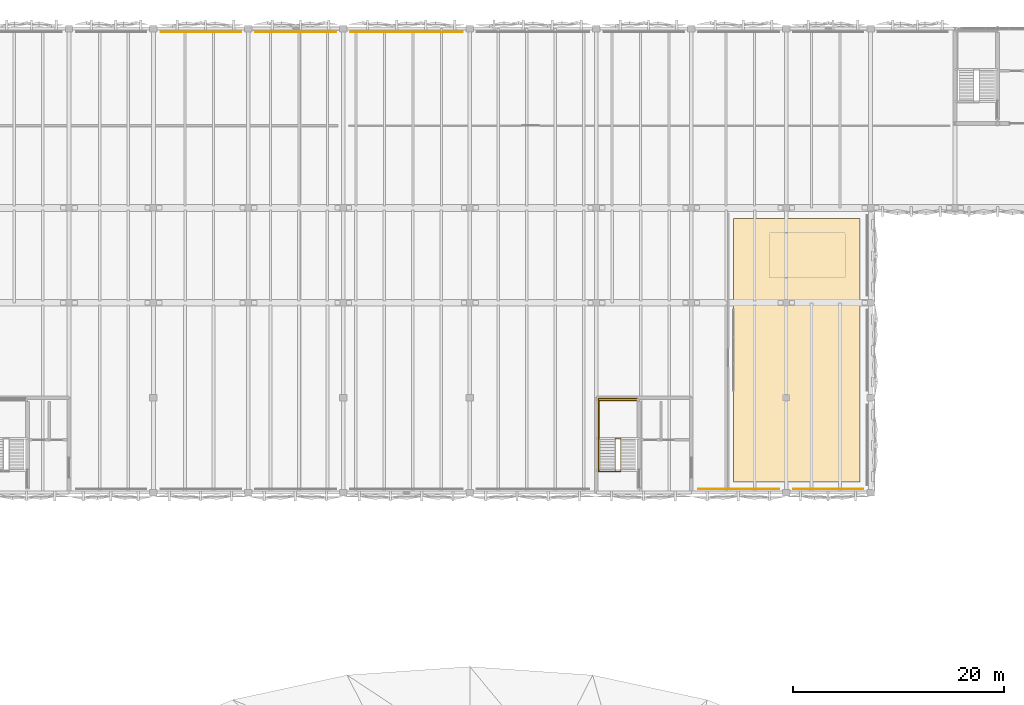
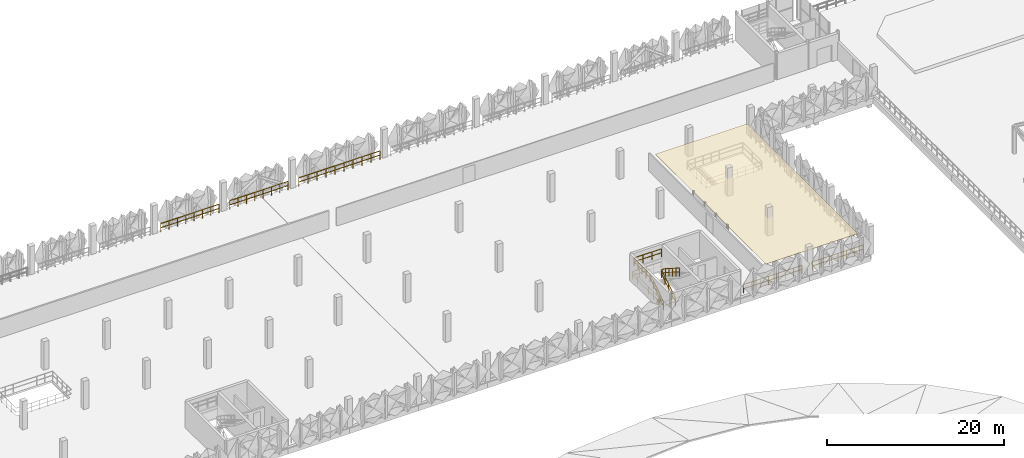
# One storey, part 48 of 52: 8 railings, 1 covering.
"""IFC4 building model written with IfcOpenShell, lengths in metres."""

from ifc_helpers import new_model, si_unit, derived_unit, direction, frame, origin, origin_2d, place, context, subcontext, project, spatial, polyline, circle, outline, extrude, material, layer, layer_set, type_object, element, save


model = new_model("IFC4")

# Units and contexts
model_context = context("Model", 3, precision=1e-05, world=origin(), true_north=direction((0.0, 1.0)))
body_context = subcontext(model_context, "Body", "Model", "MODEL_VIEW")
ifc_project = project(units=[si_unit("LENGTHUNIT", "METRE"), si_unit("AREAUNIT", "SQUARE_METRE"), si_unit("VOLUMEUNIT", "CUBIC_METRE"), si_unit("PLANEANGLEUNIT", "RADIAN"), si_unit("MASSUNIT", "GRAM", prefix="KILO"), si_unit("THERMODYNAMICTEMPERATUREUNIT", "KELVIN"), derived_unit("THERMALTRANSMITTANCEUNIT", [(si_unit("POWERUNIT", "WATT"), 1), (si_unit("AREAUNIT", "SQUARE_METRE"), -1), (si_unit("THERMODYNAMICTEMPERATUREUNIT", "KELVIN"), -1)])], contexts=[model_context])

# Site, building, storey
site_placement = place(None, origin())
site = spatial("IfcSite", under=ifc_project, at=site_placement, CompositionType="ELEMENT")
building_placement = place(site_placement, origin())
building = spatial("IfcBuilding", under=site, at=building_placement, Name="Haiyu Intermodal Mobility Hub", CompositionType="ELEMENT")
storey_placement = place(building_placement, frame((0.0, 0.0, 21.199951171875)))
storey = spatial("IfcBuildingStorey", under=building, at=storey_placement, Name="L05", CompositionType="ELEMENT", Elevation=21.199951171875)

# Covering
ifc_material_1 = material(Name="Champagne perforated aluminium 6063-T6", Category="aluminium")
ifc_layer = layer(ifc_material_1, 0.139892578125)
ifc_layer_set = layer_set([ifc_layer], Name="Champagne perforated aluminium 6063-T6")
covering_type = type_object("IfcCoveringType", Name="COV-CV01", PredefinedType="CLADDING", material=ifc_layer_set)
covering_placement = place(storey_placement, frame((0.0, 0.0, 2.400146484375)))
element("IfcCovering", 1, at=covering_placement, inside=storey, type_object=covering_type, Name="COV-CEIL-007", PredefinedType="CLADDING", context=body_context, shape_type="SweptSolid", body=[
    extrude(outline(polyline([(133.0, 105.0), (145.0, 105.0), (145.0, 130.0), (133.0, 130.0), (133.0, 105.0)])), origin(), (0.0, 0.0, 1.0), 0.044921875),
])

# Railings
ifc_material_2 = material(Name="Steel Q355C", Category="steel")
railing_type_1 = type_object("IfcRailingType", Name="RAL-GR01", PredefinedType="GUARDRAIL", material=ifc_material_2)
railing_1_placement = place(storey_placement, frame((86.300048828125, 147.659912109375, 0.0)))
element("IfcRailing", 2, at=railing_1_placement, inside=storey, type_object=railing_type_1, Name="RAL-CAR-N-0045", PredefinedType="GUARDRAIL", context=body_context, shape_type="SweptSolid", body=[
    extrude(circle(Radius=0.02392578125, at=origin_2d()), frame((-0.030029296875, 0.0, 1.17578125), z_axis=(-1.0, 0.0, 0.0), x_axis=(0.0, -1.0, 0.0)), (0.0, 0.0, 1.0), 7.5400390625),
    extrude(circle(Radius=0.02392578125, at=origin_2d()), frame((-0.037353515625, 0.0, 0.60009765625), z_axis=(-1.0, 0.0, 0.0), x_axis=(0.0, -1.0, 0.0)), (0.0, 0.0, 1.0), 1.01123046875),
    extrude(circle(Radius=0.02392578125, at=origin_2d()), frame((-1.123046875, 0.0, 0.60009765625), z_axis=(-1.0, 0.0, 0.0), x_axis=(0.0, -1.0, 0.0)), (0.0, 0.0, 1.0), 1.01123046875),
    extrude(circle(Radius=0.02392578125, at=origin_2d()), frame((-2.208740234375, 0.0, 0.60009765625), z_axis=(-1.0, 0.0, 0.0), x_axis=(0.0, -1.0, 0.0)), (0.0, 0.0, 1.0), 1.01123046875),
    extrude(circle(Radius=0.02392578125, at=origin_2d()), frame((-3.29443359375, 0.0, 0.60009765625), z_axis=(-1.0, 0.0, 0.0), x_axis=(0.0, -1.0, 0.0)), (0.0, 0.0, 1.0), 1.01123046875),
    extrude(circle(Radius=0.02392578125, at=origin_2d()), frame((-4.380126953125, 0.0, 0.60009765625), z_axis=(-1.0, 0.0, 0.0), x_axis=(0.0, -1.0, 0.0)), (0.0, 0.0, 1.0), 1.01123046875),
    extrude(circle(Radius=0.02392578125, at=origin_2d()), frame((-5.4658203125, 0.0, 0.60009765625), z_axis=(-1.0, 0.0, 0.0), x_axis=(0.0, -1.0, 0.0)), (0.0, 0.0, 1.0), 1.01123046875),
    extrude(circle(Radius=0.02392578125, at=origin_2d()), frame((-6.5517578125, 0.0, 0.60009765625), z_axis=(-1.0, 0.0, 0.0), x_axis=(0.0, -1.0, 0.0)), (0.0, 0.0, 1.0), 1.01123046875),
    extrude(circle(Radius=0.02099609375, at=origin_2d()), origin(), (0.0, 0.0, 1.0), 1.143798828125),
    extrude(circle(Radius=0.02099609375, at=origin_2d()), frame((-1.085693359375, 0.0, 0.0)), (0.0, 0.0, 1.0), 1.143798828125),
    extrude(circle(Radius=0.02099609375, at=origin_2d()), frame((-2.17138671875, 0.0, 0.0)), (0.0, 0.0, 1.0), 1.143798828125),
    extrude(circle(Radius=0.02099609375, at=origin_2d()), frame((-3.257080078125, 0.0, 0.0)), (0.0, 0.0, 1.0), 1.143798828125),
    extrude(circle(Radius=0.02099609375, at=origin_2d()), frame((-4.343017578125, 0.0, 0.0)), (0.0, 0.0, 1.0), 1.143798828125),
    extrude(circle(Radius=0.02099609375, at=origin_2d()), frame((-5.4287109375, 0.0, 0.0)), (0.0, 0.0, 1.0), 1.143798828125),
    extrude(circle(Radius=0.02099609375, at=origin_2d()), frame((-6.514404296875, 0.0, 0.0)), (0.0, 0.0, 1.0), 1.143798828125),
    extrude(circle(Radius=0.02099609375, at=origin_2d()), frame((-7.60009765625, 0.0, 0.0)), (0.0, 0.0, 1.0), 1.143798828125),
])
railing_2_placement = place(storey_placement, frame((95.300048828125, 147.659912109375, 0.0)))
element("IfcRailing", 3, at=railing_2_placement, inside=storey, type_object=railing_type_1, Name="RAL-CAR-N-0050", PredefinedType="GUARDRAIL", context=body_context, shape_type="SweptSolid", body=[
    extrude(circle(Radius=0.02392578125, at=origin_2d()), frame((-0.030029296875, 0.0, 1.17578125), z_axis=(-1.0, 0.0, 0.0), x_axis=(0.0, -1.0, 0.0)), (0.0, 0.0, 1.0), 7.5400390625),
    extrude(circle(Radius=0.02392578125, at=origin_2d()), frame((-0.037353515625, 0.0, 0.60009765625), z_axis=(-1.0, 0.0, 0.0), x_axis=(0.0, -1.0, 0.0)), (0.0, 0.0, 1.0), 1.01123046875),
    extrude(circle(Radius=0.02392578125, at=origin_2d()), frame((-1.123046875, 0.0, 0.60009765625), z_axis=(-1.0, 0.0, 0.0), x_axis=(0.0, -1.0, 0.0)), (0.0, 0.0, 1.0), 1.01123046875),
    extrude(circle(Radius=0.02392578125, at=origin_2d()), frame((-2.208740234375, 0.0, 0.60009765625), z_axis=(-1.0, 0.0, 0.0), x_axis=(0.0, -1.0, 0.0)), (0.0, 0.0, 1.0), 1.01123046875),
    extrude(circle(Radius=0.02392578125, at=origin_2d()), frame((-3.29443359375, 0.0, 0.60009765625), z_axis=(-1.0, 0.0, 0.0), x_axis=(0.0, -1.0, 0.0)), (0.0, 0.0, 1.0), 1.01123046875),
    extrude(circle(Radius=0.02392578125, at=origin_2d()), frame((-4.380126953125, 0.0, 0.60009765625), z_axis=(-1.0, 0.0, 0.0), x_axis=(0.0, -1.0, 0.0)), (0.0, 0.0, 1.0), 1.01123046875),
    extrude(circle(Radius=0.02392578125, at=origin_2d()), frame((-5.4658203125, 0.0, 0.60009765625), z_axis=(-1.0, 0.0, 0.0), x_axis=(0.0, -1.0, 0.0)), (0.0, 0.0, 1.0), 1.01123046875),
    extrude(circle(Radius=0.02392578125, at=origin_2d()), frame((-6.5517578125, 0.0, 0.60009765625), z_axis=(-1.0, 0.0, 0.0), x_axis=(0.0, -1.0, 0.0)), (0.0, 0.0, 1.0), 1.01123046875),
    extrude(circle(Radius=0.02099609375, at=origin_2d()), origin(), (0.0, 0.0, 1.0), 1.143798828125),
    extrude(circle(Radius=0.02099609375, at=origin_2d()), frame((-1.085693359375, 0.0, 0.0)), (0.0, 0.0, 1.0), 1.143798828125),
    extrude(circle(Radius=0.02099609375, at=origin_2d()), frame((-2.17138671875, 0.0, 0.0)), (0.0, 0.0, 1.0), 1.143798828125),
    extrude(circle(Radius=0.02099609375, at=origin_2d()), frame((-3.257080078125, 0.0, 0.0)), (0.0, 0.0, 1.0), 1.143798828125),
    extrude(circle(Radius=0.02099609375, at=origin_2d()), frame((-4.343017578125, 0.0, 0.0)), (0.0, 0.0, 1.0), 1.143798828125),
    extrude(circle(Radius=0.02099609375, at=origin_2d()), frame((-5.4287109375, 0.0, 0.0)), (0.0, 0.0, 1.0), 1.143798828125),
    extrude(circle(Radius=0.02099609375, at=origin_2d()), frame((-6.514404296875, 0.0, 0.0)), (0.0, 0.0, 1.0), 1.143798828125),
    extrude(circle(Radius=0.02099609375, at=origin_2d()), frame((-7.60009765625, 0.0, 0.0)), (0.0, 0.0, 1.0), 1.143798828125),
])
railing_3_placement = place(storey_placement, frame((107.300048828125, 147.659912109375, 0.0)))
element("IfcRailing", 4, at=railing_3_placement, inside=storey, type_object=railing_type_1, Name="RAL-CAR-N-0055", PredefinedType="GUARDRAIL", context=body_context, shape_type="SweptSolid", body=[
    extrude(circle(Radius=0.02392578125, at=origin_2d()), frame((-0.030029296875, 0.0, 1.17578125), z_axis=(-1.0, 0.0, 0.0), x_axis=(0.0, -1.0, 0.0)), (0.0, 0.0, 1.0), 10.5400390625),
    extrude(circle(Radius=0.02392578125, at=origin_2d()), frame((-0.037353515625, 0.0, 0.60009765625), z_axis=(-1.0, 0.0, 0.0), x_axis=(0.0, -1.0, 0.0)), (0.0, 0.0, 1.0), 1.103271484375),
    extrude(circle(Radius=0.02392578125, at=origin_2d()), frame((-1.215087890625, 0.0, 0.60009765625), z_axis=(-1.0, 0.0, 0.0), x_axis=(0.0, -1.0, 0.0)), (0.0, 0.0, 1.0), 1.103271484375),
    extrude(circle(Radius=0.02392578125, at=origin_2d()), frame((-2.392822265625, 0.0, 0.60009765625), z_axis=(-1.0, 0.0, 0.0), x_axis=(0.0, -1.0, 0.0)), (0.0, 0.0, 1.0), 1.103271484375),
    extrude(circle(Radius=0.02392578125, at=origin_2d()), frame((-3.570556640625, 0.0, 0.60009765625), z_axis=(-1.0, 0.0, 0.0), x_axis=(0.0, -1.0, 0.0)), (0.0, 0.0, 1.0), 1.103271484375),
    extrude(circle(Radius=0.02392578125, at=origin_2d()), frame((-4.74853515625, 0.0, 0.60009765625), z_axis=(-1.0, 0.0, 0.0), x_axis=(0.0, -1.0, 0.0)), (0.0, 0.0, 1.0), 1.103271484375),
    extrude(circle(Radius=0.02392578125, at=origin_2d()), frame((-5.92626953125, 0.0, 0.60009765625), z_axis=(-1.0, 0.0, 0.0), x_axis=(0.0, -1.0, 0.0)), (0.0, 0.0, 1.0), 1.103271484375),
    extrude(circle(Radius=0.02392578125, at=origin_2d()), frame((-7.10400390625, 0.0, 0.60009765625), z_axis=(-1.0, 0.0, 0.0), x_axis=(0.0, -1.0, 0.0)), (0.0, 0.0, 1.0), 1.103271484375),
    extrude(circle(Radius=0.02392578125, at=origin_2d()), frame((-8.28173828125, 0.0, 0.60009765625), z_axis=(-1.0, 0.0, 0.0), x_axis=(0.0, -1.0, 0.0)), (0.0, 0.0, 1.0), 1.103271484375),
    extrude(circle(Radius=0.02392578125, at=origin_2d()), frame((-9.459716796875, 0.0, 0.60009765625), z_axis=(-1.0, 0.0, 0.0), x_axis=(0.0, -1.0, 0.0)), (0.0, 0.0, 1.0), 1.103271484375),
    extrude(circle(Radius=0.02099609375, at=origin_2d()), origin(), (0.0, 0.0, 1.0), 1.143798828125),
    extrude(circle(Radius=0.02099609375, at=origin_2d()), frame((-1.177734375, 0.0, 0.0)), (0.0, 0.0, 1.0), 1.143798828125),
    extrude(circle(Radius=0.02099609375, at=origin_2d()), frame((-2.35546875, 0.0, 0.0)), (0.0, 0.0, 1.0), 1.143798828125),
    extrude(circle(Radius=0.02099609375, at=origin_2d()), frame((-3.533447265625, 0.0, 0.0)), (0.0, 0.0, 1.0), 1.143798828125),
    extrude(circle(Radius=0.02099609375, at=origin_2d()), frame((-4.711181640625, 0.0, 0.0)), (0.0, 0.0, 1.0), 1.143798828125),
    extrude(circle(Radius=0.02099609375, at=origin_2d()), frame((-5.888916015625, 0.0, 0.0)), (0.0, 0.0, 1.0), 1.143798828125),
    extrude(circle(Radius=0.02099609375, at=origin_2d()), frame((-7.066650390625, 0.0, 0.0)), (0.0, 0.0, 1.0), 1.143798828125),
    extrude(circle(Radius=0.02099609375, at=origin_2d()), frame((-8.24462890625, 0.0, 0.0)), (0.0, 0.0, 1.0), 1.143798828125),
    extrude(circle(Radius=0.02099609375, at=origin_2d()), frame((-9.42236328125, 0.0, 0.0)), (0.0, 0.0, 1.0), 1.143798828125),
    extrude(circle(Radius=0.02099609375, at=origin_2d()), frame((-10.60009765625, 0.0, 0.0)), (0.0, 0.0, 1.0), 1.143798828125),
])
railing_4_placement = place(storey_placement, frame((129.699951171875, 104.340087890625, 0.0)))
element("IfcRailing", 5, at=railing_4_placement, inside=storey, type_object=railing_type_1, Name="RAL-CAR-S-0142", PredefinedType="GUARDRAIL", context=body_context, shape_type="SweptSolid", body=[
    extrude(circle(Radius=0.02392578125, at=origin_2d()), frame((0.030029296875, 0.0, 1.17578125), z_axis=(1.0, 0.0, 0.0), x_axis=(0.0, 1.0, 0.0)), (0.0, 0.0, 1.0), 7.5400390625),
    extrude(circle(Radius=0.02392578125, at=origin_2d()), frame((0.037353515625, 0.0, 0.60009765625), z_axis=(1.0, 0.0, 0.0), x_axis=(0.0, 1.0, 0.0)), (0.0, 0.0, 1.0), 1.01123046875),
    extrude(circle(Radius=0.02392578125, at=origin_2d()), frame((1.123046875, 0.0, 0.60009765625), z_axis=(1.0, 0.0, 0.0), x_axis=(0.0, 1.0, 0.0)), (0.0, 0.0, 1.0), 1.01123046875),
    extrude(circle(Radius=0.02392578125, at=origin_2d()), frame((2.208740234375, 0.0, 0.60009765625), z_axis=(1.0, 0.0, 0.0), x_axis=(0.0, 1.0, 0.0)), (0.0, 0.0, 1.0), 1.01123046875),
    extrude(circle(Radius=0.02392578125, at=origin_2d()), frame((3.29443359375, 0.0, 0.60009765625), z_axis=(1.0, 0.0, 0.0), x_axis=(0.0, 1.0, 0.0)), (0.0, 0.0, 1.0), 1.01123046875),
    extrude(circle(Radius=0.02392578125, at=origin_2d()), frame((4.380126953125, 0.0, 0.60009765625), z_axis=(1.0, 0.0, 0.0), x_axis=(0.0, 1.0, 0.0)), (0.0, 0.0, 1.0), 1.01123046875),
    extrude(circle(Radius=0.02392578125, at=origin_2d()), frame((5.4658203125, 0.0, 0.60009765625), z_axis=(1.0, 0.0, 0.0), x_axis=(0.0, 1.0, 0.0)), (0.0, 0.0, 1.0), 1.01123046875),
    extrude(circle(Radius=0.02392578125, at=origin_2d()), frame((6.5517578125, 0.0, 0.60009765625), z_axis=(1.0, 0.0, 0.0), x_axis=(0.0, 1.0, 0.0)), (0.0, 0.0, 1.0), 1.01123046875),
    extrude(circle(Radius=0.02099609375, at=origin_2d()), origin(), (0.0, 0.0, 1.0), 1.143798828125),
    extrude(circle(Radius=0.02099609375, at=origin_2d()), frame((1.085693359375, 0.0, 0.0)), (0.0, 0.0, 1.0), 1.143798828125),
    extrude(circle(Radius=0.02099609375, at=origin_2d()), frame((2.17138671875, 0.0, 0.0)), (0.0, 0.0, 1.0), 1.143798828125),
    extrude(circle(Radius=0.02099609375, at=origin_2d()), frame((3.257080078125, 0.0, 0.0)), (0.0, 0.0, 1.0), 1.143798828125),
    extrude(circle(Radius=0.02099609375, at=origin_2d()), frame((4.343017578125, 0.0, 0.0)), (0.0, 0.0, 1.0), 1.143798828125),
    extrude(circle(Radius=0.02099609375, at=origin_2d()), frame((5.4287109375, 0.0, 0.0)), (0.0, 0.0, 1.0), 1.143798828125),
    extrude(circle(Radius=0.02099609375, at=origin_2d()), frame((6.514404296875, 0.0, 0.0)), (0.0, 0.0, 1.0), 1.143798828125),
    extrude(circle(Radius=0.02099609375, at=origin_2d()), frame((7.60009765625, 0.0, 0.0)), (0.0, 0.0, 1.0), 1.143798828125),
])
railing_5_placement = place(storey_placement, frame((138.699951171875, 104.340087890625, 0.0)))
element("IfcRailing", 6, at=railing_5_placement, inside=storey, type_object=railing_type_1, Name="RAL-CAR-S-0148", PredefinedType="GUARDRAIL", context=body_context, shape_type="SweptSolid", body=[
    extrude(circle(Radius=0.02392578125, at=origin_2d()), frame((0.030029296875, 0.0, 1.17578125), z_axis=(1.0, 0.0, 0.0), x_axis=(0.0, 1.0, 0.0)), (0.0, 0.0, 1.0), 6.5400390625),
    extrude(circle(Radius=0.02392578125, at=origin_2d()), frame((0.037353515625, 0.0, 0.60009765625), z_axis=(1.0, 0.0, 0.0), x_axis=(0.0, 1.0, 0.0)), (0.0, 0.0, 1.0), 1.025390625),
    extrude(circle(Radius=0.02392578125, at=origin_2d()), frame((1.13720703125, 0.0, 0.60009765625), z_axis=(1.0, 0.0, 0.0), x_axis=(0.0, 1.0, 0.0)), (0.0, 0.0, 1.0), 1.025390625),
    extrude(circle(Radius=0.02392578125, at=origin_2d()), frame((2.2373046875, 0.0, 0.60009765625), z_axis=(1.0, 0.0, 0.0), x_axis=(0.0, 1.0, 0.0)), (0.0, 0.0, 1.0), 1.025390625),
    extrude(circle(Radius=0.02392578125, at=origin_2d()), frame((3.33740234375, 0.0, 0.60009765625), z_axis=(1.0, 0.0, 0.0), x_axis=(0.0, 1.0, 0.0)), (0.0, 0.0, 1.0), 1.025390625),
    extrude(circle(Radius=0.02392578125, at=origin_2d()), frame((4.437255859375, 0.0, 0.60009765625), z_axis=(1.0, 0.0, 0.0), x_axis=(0.0, 1.0, 0.0)), (0.0, 0.0, 1.0), 1.025390625),
    extrude(circle(Radius=0.02392578125, at=origin_2d()), frame((5.537353515625, 0.0, 0.60009765625), z_axis=(1.0, 0.0, 0.0), x_axis=(0.0, 1.0, 0.0)), (0.0, 0.0, 1.0), 1.025390625),
    extrude(circle(Radius=0.02099609375, at=origin_2d()), origin(), (0.0, 0.0, 1.0), 1.143798828125),
    extrude(circle(Radius=0.02099609375, at=origin_2d()), frame((1.10009765625, 0.0, 0.0)), (0.0, 0.0, 1.0), 1.143798828125),
    extrude(circle(Radius=0.02099609375, at=origin_2d()), frame((2.199951171875, 0.0, 0.0)), (0.0, 0.0, 1.0), 1.143798828125),
    extrude(circle(Radius=0.02099609375, at=origin_2d()), frame((3.300048828125, 0.0, 0.0)), (0.0, 0.0, 1.0), 1.143798828125),
    extrude(circle(Radius=0.02099609375, at=origin_2d()), frame((4.400146484375, 0.0, 0.0)), (0.0, 0.0, 1.0), 1.143798828125),
    extrude(circle(Radius=0.02099609375, at=origin_2d()), frame((5.5, 0.0, 0.0)), (0.0, 0.0, 1.0), 1.143798828125),
    extrude(circle(Radius=0.02099609375, at=origin_2d()), frame((6.60009765625, 0.0, 0.0)), (0.0, 0.0, 1.0), 1.143798828125),
])
railing_type_2 = type_object("IfcRailingType", Name="RAL-GR03", PredefinedType="GUARDRAIL", material=ifc_material_2)
railing_6_placement = place(storey_placement, frame((122.31005859375, 106.010009765625, 0.0)))
element("IfcRailing", 7, at=railing_6_placement, inside=storey, type_object=railing_type_2, Name="Stair Shaft Floor Guard STR-C6-L04", PredefinedType="GUARDRAIL", context=body_context, shape_type="SweptSolid", body=[
    extrude(circle(Radius=0.02392578125, at=origin_2d()), frame((-0.030029296875, 0.0, 1.09619140625), z_axis=(-1.0, 0.0, 0.0), x_axis=(0.0, -1.0, 0.0)), (0.0, 0.0, 1.0), 2.030029296875),
    extrude(circle(Radius=0.02392578125, at=origin_2d()), frame((-0.037353515625, 0.0, 0.56005859375), z_axis=(-1.0, 0.0, 0.0), x_axis=(0.0, -1.0, 0.0)), (0.0, 0.0, 1.0), 0.970458984375),
    extrude(circle(Radius=0.02392578125, at=origin_2d()), frame((-1.082275390625, 0.0, 0.56005859375), z_axis=(-1.0, 0.0, 0.0), x_axis=(0.0, -1.0, 0.0)), (0.0, 0.0, 1.0), 0.970458984375),
    extrude(circle(Radius=0.02392578125, at=origin_2d()), frame((-2.090087890625, 0.030029296875, 1.09619140625), z_axis=(0.0, 1.0, 0.0), x_axis=(-1.0, 0.0, 0.0)), (0.0, 0.0, 1.0), 6.8798828125),
    extrude(circle(Radius=0.02392578125, at=origin_2d()), frame((-2.090087890625, 0.037353515625, 0.56005859375), z_axis=(0.0, 1.0, 0.0), x_axis=(-1.0, 0.0, 0.0)), (0.0, 0.0, 1.0), 1.08203125),
    extrude(circle(Radius=0.02392578125, at=origin_2d()), frame((-2.090087890625, 1.19384765625, 0.56005859375), z_axis=(0.0, 1.0, 0.0), x_axis=(-1.0, 0.0, 0.0)), (0.0, 0.0, 1.0), 1.08203125),
    extrude(circle(Radius=0.02392578125, at=origin_2d()), frame((-2.090087890625, 2.3505859375, 0.56005859375), z_axis=(0.0, 1.0, 0.0), x_axis=(-1.0, 0.0, 0.0)), (0.0, 0.0, 1.0), 1.08203125),
    extrude(circle(Radius=0.02392578125, at=origin_2d()), frame((-2.090087890625, 3.50732421875, 0.56005859375), z_axis=(0.0, 1.0, 0.0), x_axis=(-1.0, 0.0, 0.0)), (0.0, 0.0, 1.0), 1.08203125),
    extrude(circle(Radius=0.02392578125, at=origin_2d()), frame((-2.090087890625, 4.663818359375, 0.56005859375), z_axis=(0.0, 1.0, 0.0), x_axis=(-1.0, 0.0, 0.0)), (0.0, 0.0, 1.0), 1.08203125),
    extrude(circle(Radius=0.02392578125, at=origin_2d()), frame((-2.090087890625, 5.820556640625, 0.56005859375), z_axis=(0.0, 1.0, 0.0), x_axis=(-1.0, 0.0, 0.0)), (0.0, 0.0, 1.0), 1.08203125),
    extrude(circle(Radius=0.02392578125, at=origin_2d()), frame((-2.06005859375, 6.93994140625, 1.09619140625), z_axis=(1.0, 0.0, 0.0), x_axis=(0.0, 1.0, 0.0)), (0.0, 0.0, 1.0), 3.590087890625),
    extrude(circle(Radius=0.02392578125, at=origin_2d()), frame((-2.052734375, 6.93994140625, 0.56005859375), z_axis=(1.0, 0.0, 0.0), x_axis=(0.0, 1.0, 0.0)), (0.0, 0.0, 1.0), 0.837890625),
    extrude(circle(Radius=0.02392578125, at=origin_2d()), frame((-1.14013671875, 6.93994140625, 0.56005859375), z_axis=(1.0, 0.0, 0.0), x_axis=(0.0, 1.0, 0.0)), (0.0, 0.0, 1.0), 0.837890625),
    extrude(circle(Radius=0.02392578125, at=origin_2d()), frame((-0.227783203125, 6.93994140625, 0.56005859375), z_axis=(1.0, 0.0, 0.0), x_axis=(0.0, 1.0, 0.0)), (0.0, 0.0, 1.0), 0.837890625),
    extrude(circle(Radius=0.02392578125, at=origin_2d()), frame((0.684814453125, 6.93994140625, 0.56005859375), z_axis=(1.0, 0.0, 0.0), x_axis=(0.0, 1.0, 0.0)), (0.0, 0.0, 1.0), 0.837890625),
    extrude(circle(Radius=0.02099609375, at=origin_2d()), origin(), (0.0, 0.0, 1.0), 1.06396484375),
    extrude(circle(Radius=0.02099609375, at=origin_2d()), frame((-1.044921875, 0.0, 0.0)), (0.0, 0.0, 1.0), 1.06396484375),
    extrude(circle(Radius=0.02099609375, at=origin_2d()), frame((-2.090087890625, 0.0, 0.0)), (0.0, 0.0, 1.0), 1.06396484375),
    extrude(circle(Radius=0.02099609375, at=origin_2d()), frame((-2.090087890625, 1.15673828125, 0.0)), (0.0, 0.0, 1.0), 1.06396484375),
    extrude(circle(Radius=0.02099609375, at=origin_2d()), frame((-2.090087890625, 2.313232421875, 0.0)), (0.0, 0.0, 1.0), 1.06396484375),
    extrude(circle(Radius=0.02099609375, at=origin_2d()), frame((-2.090087890625, 3.469970703125, 0.0)), (0.0, 0.0, 1.0), 1.06396484375),
    extrude(circle(Radius=0.02099609375, at=origin_2d()), frame((-2.090087890625, 4.626708984375, 0.0)), (0.0, 0.0, 1.0), 1.06396484375),
    extrude(circle(Radius=0.02099609375, at=origin_2d()), frame((-2.090087890625, 5.783203125, 0.0)), (0.0, 0.0, 1.0), 1.06396484375),
    extrude(circle(Radius=0.02099609375, at=origin_2d()), frame((-2.090087890625, 6.93994140625, 0.0)), (0.0, 0.0, 1.0), 1.06396484375),
    extrude(circle(Radius=0.02099609375, at=origin_2d()), frame((-1.177490234375, 6.93994140625, 0.0)), (0.0, 0.0, 1.0), 1.06396484375),
    extrude(circle(Radius=0.02099609375, at=origin_2d()), frame((-0.26513671875, 6.93994140625, 0.0)), (0.0, 0.0, 1.0), 1.06396484375),
    extrude(circle(Radius=0.02099609375, at=origin_2d()), frame((0.6474609375, 6.93994140625, 0.0)), (0.0, 0.0, 1.0), 1.06396484375),
    extrude(circle(Radius=0.02099609375, at=origin_2d()), frame((1.56005859375, 6.93994140625, 0.0)), (0.0, 0.0, 1.0), 1.06396484375),
])
railing_7_placement = place(storey_placement, frame((121.780029296875, 106.050048828125, 0.0)))
element("IfcRailing", 8, at=railing_7_placement, inside=storey, type_object=railing_type_2, Name="Stair Well Guard STR-C6-L05", PredefinedType="GUARDRAIL", context=body_context, shape_type="SweptSolid", body=[
    extrude(circle(Radius=0.02392578125, at=origin_2d()), frame((0.0, 0.025390625, 1.11181640625), z_axis=(0.0, 0.848756196164, 0.528784378999), x_axis=(-1.0, 0.0, 0.0)), (0.0, 0.0, 1.0), 3.627685546875),
    extrude(circle(Radius=0.02392578125, at=origin_2d()), frame((0.0, 0.03173828125, 0.579833984375), z_axis=(0.0, 0.848756196164, 0.528784378999), x_axis=(-1.0, 0.0, 0.0)), (0.0, 0.0, 1.0), 0.847412109375),
    extrude(circle(Radius=0.02392578125, at=origin_2d()), frame((0.0, 0.814208984375, 1.0673828125), z_axis=(0.0, 0.848756196164, 0.528784378999), x_axis=(-1.0, 0.0, 0.0)), (0.0, 0.0, 1.0), 0.847412109375),
    extrude(circle(Radius=0.02392578125, at=origin_2d()), frame((0.0, 1.5966796875, 1.5546875), z_axis=(0.0, 0.848756196164, 0.528784378999), x_axis=(-1.0, 0.0, 0.0)), (0.0, 0.0, 1.0), 0.847412109375),
    extrude(circle(Radius=0.02392578125, at=origin_2d()), frame((0.0, 2.379150390625, 2.042236328125), z_axis=(0.0, 0.848756196164, 0.528784378999), x_axis=(-1.0, 0.0, 0.0)), (0.0, 0.0, 1.0), 0.847412109375),
    extrude(circle(Radius=0.02392578125, at=origin_2d()), frame((0.030029296875, 3.1298828125, 3.0458984375), z_axis=(1.0, 0.0, 0.0), x_axis=(0.0, 1.0, 0.0)), (0.0, 0.0, 1.0), 0.469970703125),
    extrude(circle(Radius=0.02392578125, at=origin_2d()), frame((0.037353515625, 3.1298828125, 2.510009765625), z_axis=(1.0, 0.0, 0.0), x_axis=(0.0, 1.0, 0.0)), (0.0, 0.0, 1.0), 0.455322265625),
    extrude(circle(Radius=0.02392578125, at=origin_2d()), frame((0.530029296875, 3.1044921875, 3.061767578125), z_axis=(0.0, -0.84872648218, 0.528832070176), x_axis=(1.0, 0.0, 0.0)), (0.0, 0.0, 1.0), 3.627685546875),
    extrude(circle(Radius=0.02392578125, at=origin_2d()), frame((0.530029296875, 3.09814453125, 2.52978515625), z_axis=(0.0, -0.84872648218, 0.528832070176), x_axis=(1.0, 0.0, 0.0)), (0.0, 0.0, 1.0), 0.847412109375),
    extrude(circle(Radius=0.02392578125, at=origin_2d()), frame((0.530029296875, 2.315673828125, 3.017333984375), z_axis=(0.0, -0.84872648218, 0.528832070176), x_axis=(1.0, 0.0, 0.0)), (0.0, 0.0, 1.0), 0.847412109375),
    extrude(circle(Radius=0.02392578125, at=origin_2d()), frame((0.530029296875, 1.533203125, 3.5048828125), z_axis=(0.0, -0.84872648218, 0.528832070176), x_axis=(1.0, 0.0, 0.0)), (0.0, 0.0, 1.0), 0.847412109375),
    extrude(circle(Radius=0.02392578125, at=origin_2d()), frame((0.530029296875, 0.750732421875, 3.992431640625), z_axis=(0.0, -0.84872648218, 0.528832070176), x_axis=(1.0, 0.0, 0.0)), (0.0, 0.0, 1.0), 0.847412109375),
    extrude(circle(Radius=0.02099609375, at=origin_2d()), origin(), (0.0, 0.0, 1.0), 1.06396484375),
    extrude(circle(Radius=0.02099609375, at=origin_2d()), frame((0.0, 0.782470703125, 0.487548828125)), (0.0, 0.0, 1.0), 1.06396484375),
    extrude(circle(Radius=0.02099609375, at=origin_2d()), frame((0.0, 1.56494140625, 0.97509765625)), (0.0, 0.0, 1.0), 1.06396484375),
    extrude(circle(Radius=0.02099609375, at=origin_2d()), frame((0.0, 2.347412109375, 1.46240234375)), (0.0, 0.0, 1.0), 1.06396484375),
    extrude(circle(Radius=0.02099609375, at=origin_2d()), frame((0.0, 3.1298828125, 1.949951171875)), (0.0, 0.0, 1.0), 1.06396484375),
    extrude(circle(Radius=0.02099609375, at=origin_2d()), frame((0.530029296875, 3.1298828125, 1.949951171875)), (0.0, 0.0, 1.0), 1.06396484375),
    extrude(circle(Radius=0.02099609375, at=origin_2d()), frame((0.530029296875, 2.347412109375, 2.4375)), (0.0, 0.0, 1.0), 1.06396484375),
    extrude(circle(Radius=0.02099609375, at=origin_2d()), frame((0.530029296875, 1.56494140625, 2.925048828125)), (0.0, 0.0, 1.0), 1.06396484375),
    extrude(circle(Radius=0.02099609375, at=origin_2d()), frame((0.530029296875, 0.782470703125, 3.41259765625)), (0.0, 0.0, 1.0), 1.06396484375),
    extrude(circle(Radius=0.02099609375, at=origin_2d()), frame((0.530029296875, 0.0, 3.900146484375)), (0.0, 0.0, 1.0), 1.06396484375),
])
railing_8_placement = place(storey_placement, frame((120.25, 106.050048828125, 0.0)))
element("IfcRailing", 9, at=railing_8_placement, inside=storey, type_object=railing_type_2, Name="Stair Outer Guard STR-C6-L05", PredefinedType="GUARDRAIL", context=body_context, shape_type="SweptSolid", body=[
    extrude(circle(Radius=0.02392578125, at=origin_2d()), frame((0.0, 0.025390625, 1.112060546875), z_axis=(0.0, 0.844894753029, 0.534932571736), x_axis=(-1.0, 0.0, 0.0)), (0.0, 0.0, 1.0), 3.585205078125),
    extrude(circle(Radius=0.02392578125, at=origin_2d()), frame((0.0, 0.031494140625, 0.580078125), z_axis=(0.0, 0.844894753029, 0.534932571736), x_axis=(-1.0, 0.0, 0.0)), (0.0, 0.0, 1.0), 0.836669921875),
    extrude(circle(Radius=0.02392578125, at=origin_2d()), frame((0.0, 0.801513671875, 1.0673828125), z_axis=(0.0, 0.844894753029, 0.534932571736), x_axis=(-1.0, 0.0, 0.0)), (0.0, 0.0, 1.0), 0.836669921875),
    extrude(circle(Radius=0.02392578125, at=origin_2d()), frame((0.0, 1.571533203125, 1.554931640625), z_axis=(0.0, 0.844894753029, 0.534932571736), x_axis=(-1.0, 0.0, 0.0)), (0.0, 0.0, 1.0), 0.836669921875),
    extrude(circle(Radius=0.02392578125, at=origin_2d()), frame((0.0, 2.34130859375, 2.04248046875), z_axis=(0.0, 0.844894753029, 0.534932571736), x_axis=(-1.0, 0.0, 0.0)), (0.0, 0.0, 1.0), 0.836669921875),
    extrude(circle(Radius=0.02392578125, at=origin_2d()), frame((0.0, 3.10986328125, 3.0458984375), z_axis=(0.0, 1.0, 0.0), x_axis=(-1.0, 0.0, 0.0)), (0.0, 0.0, 1.0), 3.570068359375),
    extrude(circle(Radius=0.02392578125, at=origin_2d()), frame((0.0, 3.1171875, 2.510009765625), z_axis=(0.0, 1.0, 0.0), x_axis=(-1.0, 0.0, 0.0)), (0.0, 0.0, 1.0), 0.8330078125),
    extrude(circle(Radius=0.02392578125, at=origin_2d()), frame((0.0, 4.024658203125, 2.510009765625), z_axis=(0.0, 1.0, 0.0), x_axis=(-1.0, 0.0, 0.0)), (0.0, 0.0, 1.0), 0.8330078125),
    extrude(circle(Radius=0.02392578125, at=origin_2d()), frame((0.0, 4.93212890625, 2.510009765625), z_axis=(0.0, 1.0, 0.0), x_axis=(-1.0, 0.0, 0.0)), (0.0, 0.0, 1.0), 0.8330078125),
    extrude(circle(Radius=0.02392578125, at=origin_2d()), frame((0.0, 5.83984375, 2.510009765625), z_axis=(0.0, 1.0, 0.0), x_axis=(-1.0, 0.0, 0.0)), (0.0, 0.0, 1.0), 0.8330078125),
    extrude(circle(Radius=0.02392578125, at=origin_2d()), frame((0.030029296875, 6.7099609375, 3.0458984375), z_axis=(1.0, 0.0, 0.0), x_axis=(0.0, 1.0, 0.0)), (0.0, 0.0, 1.0), 3.52001953125),
    extrude(circle(Radius=0.02392578125, at=origin_2d()), frame((0.037353515625, 6.7099609375, 2.510009765625), z_axis=(1.0, 0.0, 0.0), x_axis=(0.0, 1.0, 0.0)), (0.0, 0.0, 1.0), 1.11865234375),
    extrude(circle(Radius=0.02392578125, at=origin_2d()), frame((1.230712890625, 6.7099609375, 2.510009765625), z_axis=(1.0, 0.0, 0.0), x_axis=(0.0, 1.0, 0.0)), (0.0, 0.0, 1.0), 1.11865234375),
    extrude(circle(Radius=0.02392578125, at=origin_2d()), frame((2.424072265625, 6.7099609375, 2.510009765625), z_axis=(1.0, 0.0, 0.0), x_axis=(0.0, 1.0, 0.0)), (0.0, 0.0, 1.0), 1.11865234375),
    extrude(circle(Radius=0.02099609375, at=origin_2d()), origin(), (0.0, 0.0, 1.0), 1.06396484375),
    extrude(circle(Radius=0.02099609375, at=origin_2d()), frame((0.0, 0.77001953125, 0.487548828125)), (0.0, 0.0, 1.0), 1.06396484375),
    extrude(circle(Radius=0.02099609375, at=origin_2d()), frame((0.0, 1.5400390625, 0.97509765625)), (0.0, 0.0, 1.0), 1.06396484375),
    extrude(circle(Radius=0.02099609375, at=origin_2d()), frame((0.0, 2.309814453125, 1.46240234375)), (0.0, 0.0, 1.0), 1.06396484375),
    extrude(circle(Radius=0.02099609375, at=origin_2d()), frame((0.0, 3.079833984375, 1.949951171875)), (0.0, 0.0, 1.0), 1.06396484375),
    extrude(circle(Radius=0.02099609375, at=origin_2d()), frame((0.0, 3.9873046875, 1.949951171875)), (0.0, 0.0, 1.0), 1.06396484375),
    extrude(circle(Radius=0.02099609375, at=origin_2d()), frame((0.0, 4.89501953125, 1.949951171875)), (0.0, 0.0, 1.0), 1.06396484375),
    extrude(circle(Radius=0.02099609375, at=origin_2d()), frame((0.0, 5.802490234375, 1.949951171875)), (0.0, 0.0, 1.0), 1.06396484375),
    extrude(circle(Radius=0.02099609375, at=origin_2d()), frame((0.0, 6.7099609375, 1.949951171875)), (0.0, 0.0, 1.0), 1.06396484375),
    extrude(circle(Radius=0.02099609375, at=origin_2d()), frame((1.193359375, 6.7099609375, 1.949951171875)), (0.0, 0.0, 1.0), 1.06396484375),
    extrude(circle(Radius=0.02099609375, at=origin_2d()), frame((2.38671875, 6.7099609375, 1.949951171875)), (0.0, 0.0, 1.0), 1.06396484375),
    extrude(circle(Radius=0.02099609375, at=origin_2d()), frame((3.580078125, 6.7099609375, 1.949951171875)), (0.0, 0.0, 1.0), 1.06396484375),
])

save(model, "model.ifc")
